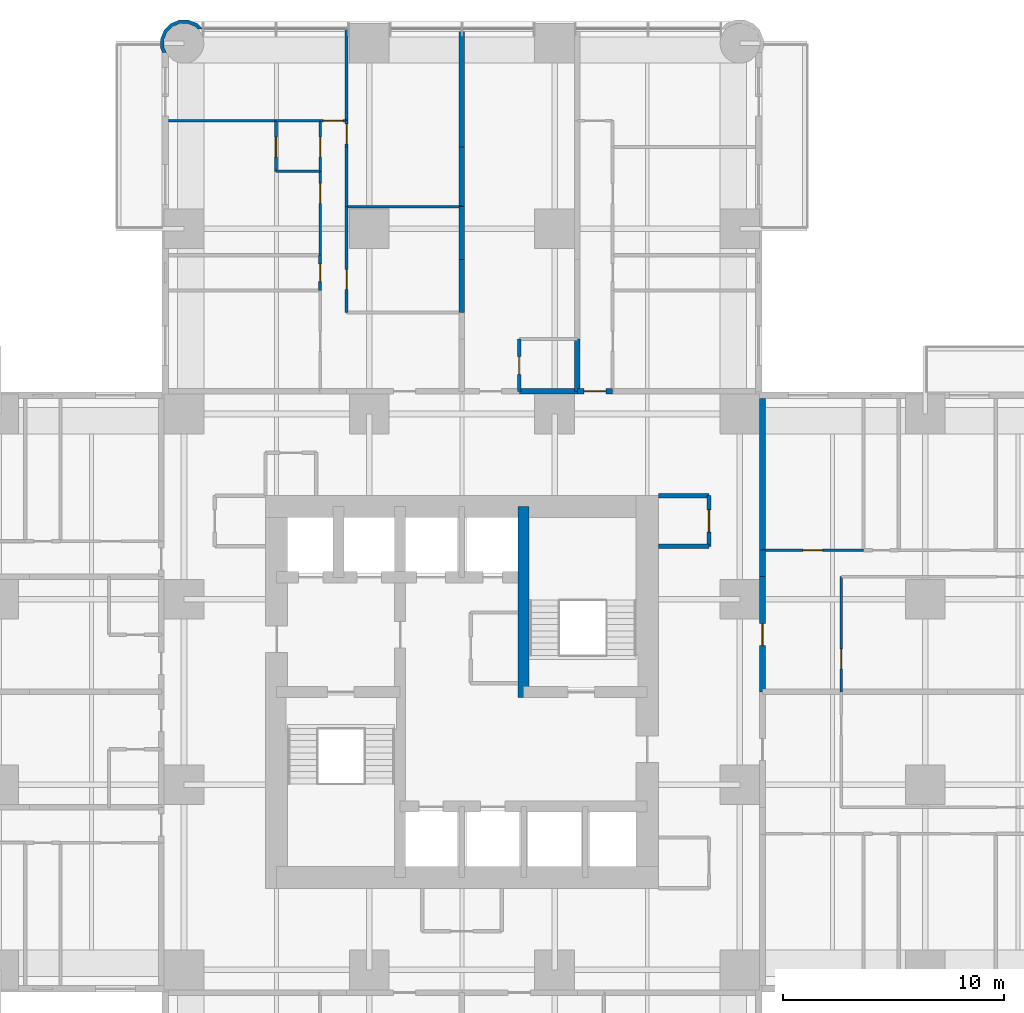
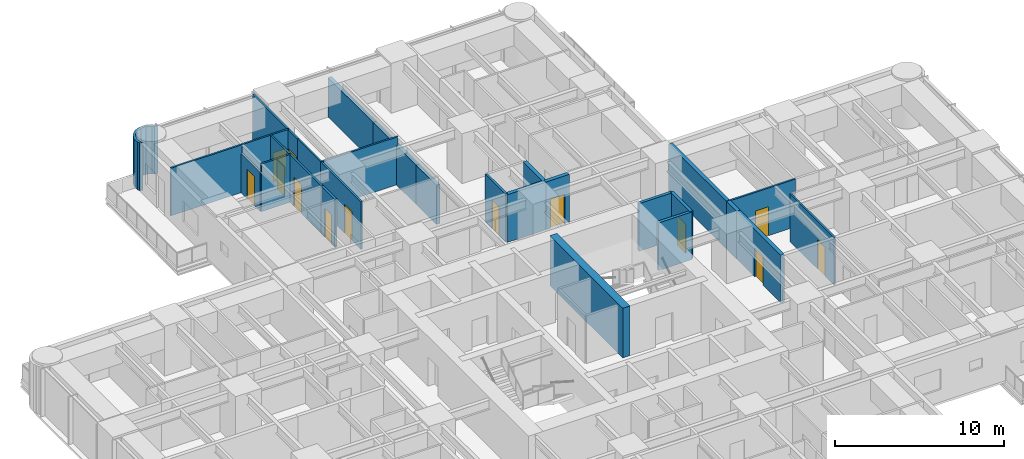
# One storey, part 13 of 17: 31 walls, 13 doors, 13 openings.
"""IFC4 building model written with IfcOpenShell, lengths in metres."""

from ifc_helpers import new_model, si_unit, direction, frame, frame_2d, origin, place, context, subcontext, project, spatial, polyline, rectangle, outline, extrude, material, layer, layer_set, type_object, element, fill, save


model = new_model("IFC4")

# Units and contexts
model_context = context("Model", 3, precision=1e-05, world=origin(), true_north=direction((0.0, 1.0)))
body_context = subcontext(model_context, "Body", "Model", "MODEL_VIEW")
ifc_project = project(units=[si_unit("LENGTHUNIT", "METRE"), si_unit("AREAUNIT", "SQUARE_METRE"), si_unit("VOLUMEUNIT", "CUBIC_METRE"), si_unit("PLANEANGLEUNIT", "RADIAN"), si_unit("MASSUNIT", "GRAM", prefix="KILO")], contexts=[model_context])

# Site, building, storey
site_placement = place(None, origin())
site = spatial("IfcSite", under=ifc_project, at=site_placement, CompositionType="ELEMENT")
building_placement = place(site_placement, origin())
building = spatial("IfcBuilding", under=site, at=building_placement, Name="Torre Alcanfor", CompositionType="ELEMENT")
storey_placement = place(building_placement, frame((0.0, 0.0, 70.5)))
storey = spatial("IfcBuildingStorey", under=building, at=storey_placement, Name="L17", CompositionType="ELEMENT", Elevation=70.5)

# Wall
ifc_material_1 = material(Name="Concrete block masonry, hollow blocks NMX-C-404 9 MPa", Category="masonry")
ifc_layer_1 = layer(ifc_material_1, 0.25)
ifc_layer_set_1 = layer_set([ifc_layer_1], Name="Apartment entrance wall 250 EI 60")
wall_type_1 = type_object("IfcWallType", Name="Apartment entrance wall 250 EI 60", PredefinedType="PARTITIONING", material=ifc_layer_set_1)
wall_1_placement = place(storey_placement, frame((32.0, 43.02490234375, 0.0), z_axis=(0.0, 0.0, 1.0), x_axis=(1.0, 0.0, 0.0)))
element("IfcWall", 1, at=wall_1_placement, inside=storey, type_object=wall_type_1, Name="Partition L17-CORR / L17-N2A-BATH", PredefinedType="PARTITIONING", context=body_context, shape_type="SweptSolid", body=[
    extrude(rectangle(XDim=2.62890625, YDim=0.25, at=frame_2d((1.314453125, 0.0))), origin(), (0.0, 0.0, 1.0), 3.449951171875),
])

# Wall, opening, door
wall_2_placement = place(storey_placement, frame((34.62890625, 43.02490234375, 0.0), z_axis=(0.0, 0.0, 1.0), x_axis=(1.0, 0.0, 0.0)))
wall_2 = element("IfcWall", 2, at=wall_2_placement, inside=storey, type_object=wall_type_1, Name="Partition L17-CORR / L17-N2B-HALL", PredefinedType="PARTITIONING", context=body_context, shape_type="SweptSolid", body=[
    extrude(rectangle(XDim=1.60009765625, YDim=0.25, at=frame_2d((0.800048828125, 0.0))), origin(), (0.0, 0.0, 1.0), 3.449951171875),
])
opening_1_placement = place(wall_2_placement, frame((0.300048828125, 0.0, 0.0)))
opening_1 = element("IfcOpeningElement", 3, at=opening_1_placement, cuts=wall_2, Name="Opening D-A1", PredefinedType="OPENING", context=body_context, shape_type="SweptSolid", body=[
    extrude(rectangle(XDim=1.0, YDim=2.10009765625, at=frame_2d((0.5, 1.050048828125))), frame((0.0, 0.135009765625, 0.0), z_axis=(0.0, -1.0, 0.0), x_axis=(1.0, 0.0, 0.0)), (0.0, 0.0, 1.0), 0.27001953125),
])
ifc_material_2 = material(Name="Galvanised steel sheet ASTM A653", Category="steel")
door_type_1 = type_object("IfcDoorType", Name="Apartment entrance door FD60 1000x2100", OperationType="SINGLE_SWING_LEFT", PredefinedType="DOOR", material=ifc_material_2)
door_1_placement = place(opening_1_placement, origin())
door_1 = element("IfcDoor", 4, at=door_1_placement, inside=storey, type_object=door_type_1, Name="Apartment entrance L17-N2B", OperationType="SINGLE_SWING_LEFT", OverallHeight=2.10009765625, OverallWidth=1.0, PredefinedType="DOOR", context=body_context, shape_type="SweptSolid", body=[
    extrude(rectangle(XDim=1.0, YDim=2.10009765625, at=frame_2d((0.5, 1.050048828125))), frame((0.0, 0.02490234375, 0.0), z_axis=(0.0, -1.0, 0.0), x_axis=(1.0, 0.0, 0.0)), (0.0, 0.0, 1.0), 0.050048828125),
])
fill(opening_1, door_1)

wall_3_placement = place(storey_placement, frame((43.02490234375, 34.62890625, 0.0), z_axis=(0.0, 0.0, 1.0), x_axis=(0.0, -1.0, 0.0)))
wall_3 = element("IfcWall", 5, at=wall_3_placement, inside=storey, type_object=wall_type_1, Name="Partition L17-CORR / L17-E1-ZAG", PredefinedType="PARTITIONING", context=body_context, shape_type="SweptSolid", body=[
    extrude(rectangle(XDim=5.22900390625, YDim=0.25, at=frame_2d((2.614501953125, 0.0))), origin(), (0.0, 0.0, 1.0), 3.449951171875),
])
opening_2_placement = place(wall_3_placement, frame((2.12890625, 0.0, 0.0)))
opening_2 = element("IfcOpeningElement", 6, at=opening_2_placement, cuts=wall_3, Name="Opening D-A1", PredefinedType="OPENING", context=body_context, shape_type="SweptSolid", body=[
    extrude(rectangle(XDim=1.0, YDim=2.10009765625, at=frame_2d((0.5, 1.050048828125))), frame((0.0, 0.135009765625, 0.0), z_axis=(0.0, -1.0, 0.0), x_axis=(1.0, 0.0, 0.0)), (0.0, 0.0, 1.0), 0.27001953125),
])
door_2_placement = place(opening_2_placement, origin())
door_2 = element("IfcDoor", 7, at=door_2_placement, inside=storey, type_object=door_type_1, Name="Apartment entrance L17-E1", OperationType="SINGLE_SWING_RIGHT", OverallHeight=2.10009765625, OverallWidth=1.0, PredefinedType="DOOR", context=body_context, shape_type="SweptSolid", body=[
    extrude(rectangle(XDim=1.0, YDim=2.10009765625, at=frame_2d((0.5, 1.050048828125))), frame((0.0, 0.02490234375, 0.0), z_axis=(0.0, -1.0, 0.0), x_axis=(1.0, 0.0, 0.0)), (0.0, 0.0, 1.0), 0.050048828125),
])
fill(opening_2, door_2)

# Walls
wall_4_placement = place(storey_placement, frame((43.02490234375, 35.8291015625, 0.0), z_axis=(0.0, 0.0, 1.0), x_axis=(0.0, -1.0, 0.0)))
element("IfcWall", 8, at=wall_4_placement, inside=storey, type_object=wall_type_1, Name="Partition L17-CORR / L17-E1-HALL", PredefinedType="PARTITIONING", context=body_context, shape_type="SweptSolid", body=[
    extrude(rectangle(XDim=1.2001953125, YDim=0.25, at=frame_2d((0.60009765625, 0.0))), origin(), (0.0, 0.0, 1.0), 3.449951171875),
])
wall_5_placement = place(storey_placement, frame((43.02490234375, 42.699951171875, 0.0), z_axis=(0.0, 0.0, 1.0), x_axis=(0.0, -1.0, 0.0)))
element("IfcWall", 9, at=wall_5_placement, inside=storey, type_object=wall_type_1, Name="Partition L17-CORR / L17-E1-BED3", PredefinedType="PARTITIONING", context=body_context, shape_type="SweptSolid", body=[
    extrude(rectangle(XDim=6.870849609375, YDim=0.25, at=frame_2d((3.435546875, 0.0))), origin(), (0.0, 0.0, 1.0), 3.449951171875),
])
ifc_material_3 = material(Name="Gypsum board on steel studs", Category="steel")
ifc_layer_2 = layer(ifc_material_3, 0.1201171875)
ifc_layer_set_2 = layer_set([ifc_layer_2], Name="Apartment partition 120")
wall_type_2 = type_object("IfcWallType", Name="Apartment partition 120", PredefinedType="PARTITIONING", material=ifc_layer_set_2)
wall_6_placement = place(storey_placement, frame((29.39990234375, 51.39990234375, 0.0), z_axis=(0.0, 0.0, 1.0), x_axis=(-1.0, 0.0, 0.0)))
element("IfcWall", 10, at=wall_6_placement, inside=storey, type_object=wall_type_2, Name="Partition L17-N1-FAMILY / L17-N1-KITCHEN", PredefinedType="PARTITIONING", context=body_context, shape_type="SweptSolid", body=[
    extrude(rectangle(XDim=5.22900390625, YDim=0.1201171875, at=frame_2d((2.614501953125, 0.0))), origin(), (0.0, 0.0, 1.0), 3.449951171875),
])

# Wall, opening, door
wall_7_placement = place(storey_placement, frame((24.1708984375, 51.39990234375, 0.0), z_axis=(0.0, 0.0, 1.0), x_axis=(0.0, -1.0, 0.0)))
wall_7 = element("IfcWall", 11, at=wall_7_placement, inside=storey, type_object=wall_type_2, Name="Partition L17-N1-FAMILY / L17-N1-HALL", PredefinedType="PARTITIONING", context=body_context, shape_type="SweptSolid", body=[
    extrude(rectangle(XDim=4.7998046875, YDim=0.1201171875, at=frame_2d((2.39990234375, 0.0))), origin(), (0.0, 0.0, 1.0), 3.449951171875),
])
opening_3_placement = place(wall_7_placement, frame((2.85009765625, 0.0, 0.0)))
opening_3 = element("IfcOpeningElement", 12, at=opening_3_placement, cuts=wall_7, Name="Opening D-R1", PredefinedType="OPENING", context=body_context, shape_type="SweptSolid", body=[
    extrude(rectangle(XDim=0.89990234375, YDim=2.10009765625, at=frame_2d((0.449951171875, 1.050048828125))), frame((0.0, 0.070068359375, 0.0), z_axis=(0.0, -1.0, 0.0), x_axis=(1.0, 0.0, 0.0)), (0.0, 0.0, 1.0), 0.14013671875),
])
ifc_material_4 = material(Name="Timber", Category="wood")
door_type_2 = type_object("IfcDoorType", Name="Internal door 900x2100", OperationType="SINGLE_SWING_LEFT", PredefinedType="DOOR", material=ifc_material_4)
door_3_placement = place(opening_3_placement, origin())
door_3 = element("IfcDoor", 13, at=door_3_placement, inside=storey, type_object=door_type_2, Name="Door L17-N1 family", OperationType="SINGLE_SWING_RIGHT", OverallHeight=2.10009765625, OverallWidth=0.89990234375, PredefinedType="DOOR", context=body_context, shape_type="SweptSolid", body=[
    extrude(rectangle(XDim=0.89990234375, YDim=2.10009765625, at=frame_2d((0.449951171875, 1.050048828125))), frame((0.0, 0.02490234375, 0.0), z_axis=(0.0, -1.0, 0.0), x_axis=(1.0, 0.0, 0.0)), (0.0, 0.0, 1.0), 0.050048828125),
])
fill(opening_3, door_3)

# Wall
wall_8_placement = place(storey_placement, frame((24.1708984375, 54.10009765625, 0.0), z_axis=(0.0, 0.0, 1.0), x_axis=(0.0, -1.0, 0.0)))
element("IfcWall", 14, at=wall_8_placement, inside=storey, type_object=wall_type_2, Name="Partition L17-N1-KITCHEN / L17-N1-HALL", PredefinedType="PARTITIONING", context=body_context, shape_type="SweptSolid", body=[
    extrude(rectangle(XDim=2.7001953125, YDim=0.1201171875, at=frame_2d((1.35009765625, 0.0))), origin(), (0.0, 0.0, 1.0), 3.449951171875),
])

# Wall, opening, door
wall_9_placement = place(storey_placement, frame((24.1708984375, 55.300048828125, 0.0), z_axis=(0.0, 0.0, 1.0), x_axis=(0.0, -1.0, 0.0)))
wall_9 = element("IfcWall", 15, at=wall_9_placement, inside=storey, type_object=wall_type_2, Name="Partition L17-N1-LIVING / L17-N1-HALL", PredefinedType="PARTITIONING", context=body_context, shape_type="SweptSolid", body=[
    extrude(rectangle(XDim=1.199951171875, YDim=0.1201171875, at=frame_2d((0.60009765625, 0.0))), origin(), (0.0, 0.0, 1.0), 3.449951171875),
])
opening_4_placement = place(wall_9_placement, frame((0.14990234375, 0.0, 0.0)))
opening_4 = element("IfcOpeningElement", 16, at=opening_4_placement, cuts=wall_9, Name="Opening D-R1", PredefinedType="OPENING", context=body_context, shape_type="SweptSolid", body=[
    extrude(rectangle(XDim=0.89990234375, YDim=2.10009765625, at=frame_2d((0.449951171875, 1.050048828125))), frame((0.0, 0.070068359375, 0.0), z_axis=(0.0, -1.0, 0.0), x_axis=(1.0, 0.0, 0.0)), (0.0, 0.0, 1.0), 0.14013671875),
])
door_4_placement = place(opening_4_placement, origin())
door_4 = element("IfcDoor", 17, at=door_4_placement, inside=storey, type_object=door_type_2, Name="Door L17-N1 living", OperationType="SINGLE_SWING_RIGHT", OverallHeight=2.10009765625, OverallWidth=0.89990234375, PredefinedType="DOOR", context=body_context, shape_type="SweptSolid", body=[
    extrude(rectangle(XDim=0.89990234375, YDim=2.10009765625, at=frame_2d((0.449951171875, 1.050048828125))), frame((0.0, 0.02490234375, 0.0), z_axis=(0.0, -1.0, 0.0), x_axis=(1.0, 0.0, 0.0)), (0.0, 0.0, 1.0), 0.050048828125),
])
fill(opening_4, door_4)

# Wall
wall_10_placement = place(storey_placement, frame((24.1708984375, 59.449951171875, 0.0), z_axis=(0.0, 0.0, 1.0), x_axis=(0.0, -1.0, 0.0)))
element("IfcWall", 18, at=wall_10_placement, inside=storey, type_object=wall_type_2, Name="Partition L17-N1-LIVING / L17-N1-WGARD", PredefinedType="PARTITIONING", context=body_context, shape_type="SweptSolid", body=[
    extrude(rectangle(XDim=4.14990234375, YDim=0.1201171875, at=frame_2d((2.074951171875, 0.0))), origin(), (0.0, 0.0, 1.0), 3.449951171875),
])

# Wall, opening, door
wall_11_placement = place(storey_placement, frame((22.970947265625, 53.0, 0.0), z_axis=(0.0, 0.0, 1.0), x_axis=(0.0, -1.0, 0.0)))
wall_11 = element("IfcWall", 19, at=wall_11_placement, inside=storey, type_object=wall_type_2, Name="Partition L17-N1-HALL / L17-N1-MASTER", PredefinedType="PARTITIONING", context=body_context, shape_type="SweptSolid", body=[
    extrude(rectangle(XDim=3.800048828125, YDim=0.1201171875, at=frame_2d((1.89990234375, 0.0))), origin(), (0.0, 0.0, 1.0), 3.449951171875),
])
opening_5_placement = place(wall_11_placement, frame((0.550048828125, 0.0, 0.0)))
opening_5 = element("IfcOpeningElement", 20, at=opening_5_placement, cuts=wall_11, Name="Opening D-R1", PredefinedType="OPENING", context=body_context, shape_type="SweptSolid", body=[
    extrude(rectangle(XDim=0.89990234375, YDim=2.10009765625, at=frame_2d((0.449951171875, 1.050048828125))), frame((0.0, 0.070068359375, 0.0), z_axis=(0.0, -1.0, 0.0), x_axis=(1.0, 0.0, 0.0)), (0.0, 0.0, 1.0), 0.14013671875),
])
door_5_placement = place(opening_5_placement, frame((0.89990234375, 0.0, 0.0), z_axis=(0.0, 0.0, 1.0), x_axis=(-1.0, 0.0, 0.0)))
door_5 = element("IfcDoor", 21, at=door_5_placement, inside=storey, type_object=door_type_2, Name="Door L17-N1 master", OperationType="SINGLE_SWING_RIGHT", OverallHeight=2.10009765625, OverallWidth=0.89990234375, PredefinedType="DOOR", context=body_context, shape_type="SweptSolid", body=[
    extrude(rectangle(XDim=0.89990234375, YDim=2.10009765625, at=frame_2d((0.449951171875, 1.050048828125))), frame((0.0, 0.025146484375, 0.0), z_axis=(0.0, -1.0, 0.0), x_axis=(1.0, 0.0, 0.0)), (0.0, 0.0, 1.0), 0.050048828125),
])
fill(opening_5, door_5)

wall_12_placement = place(storey_placement, frame((22.970947265625, 55.300048828125, 0.0), z_axis=(0.0, 0.0, 1.0), x_axis=(0.0, -1.0, 0.0)))
wall_12 = element("IfcWall", 22, at=wall_12_placement, inside=storey, type_object=wall_type_2, Name="Partition L17-N1-HALL / L17-N1-VEST", PredefinedType="PARTITIONING", context=body_context, shape_type="SweptSolid", body=[
    extrude(rectangle(XDim=2.300048828125, YDim=0.1201171875, at=frame_2d((1.14990234375, 0.0))), origin(), (0.0, 0.0, 1.0), 3.449951171875),
])
opening_6_placement = place(wall_12_placement, frame((0.75, 0.0, 0.0)))
opening_6 = element("IfcOpeningElement", 23, at=opening_6_placement, cuts=wall_12, Name="Opening D-R1", PredefinedType="OPENING", context=body_context, shape_type="SweptSolid", body=[
    extrude(rectangle(XDim=0.89990234375, YDim=2.10009765625, at=frame_2d((0.449951171875, 1.050048828125))), frame((0.0, 0.070068359375, 0.0), z_axis=(0.0, -1.0, 0.0), x_axis=(1.0, 0.0, 0.0)), (0.0, 0.0, 1.0), 0.14013671875),
])
door_6_placement = place(opening_6_placement, frame((0.89990234375, 0.0, 0.0), z_axis=(0.0, 0.0, 1.0), x_axis=(-1.0, 0.0, 0.0)))
door_6 = element("IfcDoor", 24, at=door_6_placement, inside=storey, type_object=door_type_2, Name="Door L17-N1 vest", OperationType="SINGLE_SWING_LEFT", OverallHeight=2.10009765625, OverallWidth=0.89990234375, PredefinedType="DOOR", context=body_context, shape_type="SweptSolid", body=[
    extrude(rectangle(XDim=0.89990234375, YDim=2.10009765625, at=frame_2d((0.449951171875, 1.050048828125))), frame((0.0, 0.025146484375, 0.0), z_axis=(0.0, -1.0, 0.0), x_axis=(1.0, 0.0, 0.0)), (0.0, 0.0, 1.0), 0.050048828125),
])
fill(opening_6, door_6)

wall_13_placement = place(storey_placement, frame((24.1708984375, 55.300048828125, 0.0), z_axis=(0.0, 0.0, 1.0), x_axis=(-1.0, 0.0, 0.0)))
wall_13 = element("IfcWall", 25, at=wall_13_placement, inside=storey, type_object=wall_type_2, Name="Partition L17-N1-HALL / L17-N1-WGARD", PredefinedType="PARTITIONING", context=body_context, shape_type="SweptSolid", body=[
    extrude(rectangle(XDim=1.199951171875, YDim=0.1201171875, at=frame_2d((0.60009765625, 0.0))), origin(), (0.0, 0.0, 1.0), 3.449951171875),
])
opening_7_placement = place(wall_13_placement, frame((0.15087890625, 0.0, 0.0)))
opening_7 = element("IfcOpeningElement", 26, at=opening_7_placement, cuts=wall_13, Name="Opening D-R1", PredefinedType="OPENING", context=body_context, shape_type="SweptSolid", body=[
    extrude(rectangle(XDim=0.89990234375, YDim=2.10009765625, at=frame_2d((0.449951171875, 1.050048828125))), frame((0.0, 0.070068359375, 0.0), z_axis=(0.0, -1.0, 0.0), x_axis=(1.0, 0.0, 0.0)), (0.0, 0.0, 1.0), 0.14013671875),
])
door_7_placement = place(opening_7_placement, frame((0.89990234375, 0.0, 0.0), z_axis=(0.0, 0.0, 1.0), x_axis=(-1.0, 0.0, 0.0)))
door_7 = element("IfcDoor", 27, at=door_7_placement, inside=storey, type_object=door_type_2, Name="Door L17-N1 wgard", OperationType="SINGLE_SWING_RIGHT", OverallHeight=2.10009765625, OverallWidth=0.89990234375, PredefinedType="DOOR", context=body_context, shape_type="SweptSolid", body=[
    extrude(rectangle(XDim=0.89990234375, YDim=2.10009765625, at=frame_2d((0.449951171875, 1.050048828125))), frame((0.0, 0.025146484375, 0.0), z_axis=(0.0, -1.0, 0.0), x_axis=(1.0, 0.0, 0.0)), (0.0, 0.0, 1.0), 0.050048828125),
])
fill(opening_7, door_7)

wall_14_placement = place(storey_placement, frame((20.970947265625, 55.300048828125, 0.0), z_axis=(0.0, 0.0, 1.0), x_axis=(0.0, -1.0, 0.0)))
wall_14 = element("IfcWall", 28, at=wall_14_placement, inside=storey, type_object=wall_type_2, Name="Partition L17-N1-MASTER / L17-N1-VEST", PredefinedType="PARTITIONING", context=body_context, shape_type="SweptSolid", body=[
    extrude(rectangle(XDim=2.300048828125, YDim=0.1201171875, at=frame_2d((1.14990234375, 0.0))), origin(), (0.0, 0.0, 1.0), 2.847900390625),
])
opening_8_placement = place(wall_14_placement, frame((0.75, 0.0, 0.0)))
opening_8 = element("IfcOpeningElement", 29, at=opening_8_placement, cuts=wall_14, Name="Opening D-R1", PredefinedType="OPENING", context=body_context, shape_type="SweptSolid", body=[
    extrude(rectangle(XDim=0.89990234375, YDim=2.10009765625, at=frame_2d((0.449951171875, 1.050048828125))), frame((0.0, 0.070068359375, 0.0), z_axis=(0.0, -1.0, 0.0), x_axis=(1.0, 0.0, 0.0)), (0.0, 0.0, 1.0), 0.14013671875),
])
door_8_placement = place(opening_8_placement, origin())
door_8 = element("IfcDoor", 30, at=door_8_placement, inside=storey, type_object=door_type_2, Name="Door L17-N1 master", OperationType="SINGLE_SWING_RIGHT", OverallHeight=2.10009765625, OverallWidth=0.89990234375, PredefinedType="DOOR", context=body_context, shape_type="SweptSolid", body=[
    extrude(rectangle(XDim=0.89990234375, YDim=2.10009765625, at=frame_2d((0.449951171875, 1.050048828125))), frame((0.0, 0.02490234375, 0.0), z_axis=(0.0, -1.0, 0.0), x_axis=(1.0, 0.0, 0.0)), (0.0, 0.0, 1.0), 0.050048828125),
])
fill(opening_8, door_8)

# Walls
wall_15_placement = place(storey_placement, frame((20.970947265625, 53.0, 0.0), z_axis=(0.0, 0.0, 1.0), x_axis=(1.0, 0.0, 0.0)))
element("IfcWall", 31, at=wall_15_placement, inside=storey, type_object=wall_type_2, Name="Partition L17-N1-MASTER / L17-N1-VEST", PredefinedType="PARTITIONING", context=body_context, shape_type="SweptSolid", body=[
    extrude(rectangle(XDim=2.0, YDim=0.1201171875, at=frame_2d((1.0, 0.0))), origin(), (0.0, 0.0, 1.0), 3.449951171875),
])
wall_16_placement = place(storey_placement, frame((16.10009765625, 55.300048828125, 0.0), z_axis=(0.0, 0.0, 1.0), x_axis=(1.0, 0.0, 0.0)))
element("IfcWall", 32, at=wall_16_placement, inside=storey, type_object=wall_type_2, Name="Partition L17-N1-MASTER / L17-N1-WGARD", PredefinedType="PARTITIONING", context=body_context, shape_type="SweptSolid", body=[
    extrude(rectangle(XDim=4.870849609375, YDim=0.1201171875, at=frame_2d((2.435546875, 0.0))), origin(), (0.0, 0.0, 1.0), 3.449951171875),
])
wall_17_placement = place(storey_placement, frame((22.970947265625, 55.300048828125, 0.0), z_axis=(0.0, 0.0, 1.0), x_axis=(-1.0, 0.0, 0.0)))
element("IfcWall", 33, at=wall_17_placement, inside=storey, type_object=wall_type_2, Name="Partition L17-N1-VEST / L17-N1-WGARD", PredefinedType="PARTITIONING", context=body_context, shape_type="SweptSolid", body=[
    extrude(rectangle(XDim=2.0, YDim=0.1201171875, at=frame_2d((1.0, 0.0))), origin(), (0.0, 0.0, 1.0), 3.449951171875),
])

# Wall, opening, door
wall_18_placement = place(storey_placement, frame((46.60009765625, 29.39990234375, 0.0), z_axis=(0.0, 0.0, 1.0), x_axis=(0.0, 1.0, 0.0)))
wall_18 = element("IfcWall", 34, at=wall_18_placement, inside=storey, type_object=wall_type_2, Name="Partition L17-E1-ZAG / L17-E1-KITCHEN", PredefinedType="PARTITIONING", context=body_context, shape_type="SweptSolid", body=[
    extrude(rectangle(XDim=5.22900390625, YDim=0.1201171875, at=frame_2d((2.614501953125, 0.0))), origin(), (0.0, 0.0, 1.0), 3.449951171875),
])
opening_9_placement = place(wall_18_placement, frame((1.050048828125, 0.0, 0.0)))
opening_9 = element("IfcOpeningElement", 35, at=opening_9_placement, cuts=wall_18, Name="Opening D-R1", PredefinedType="OPENING", context=body_context, shape_type="SweptSolid", body=[
    extrude(rectangle(XDim=0.89990234375, YDim=2.10009765625, at=frame_2d((0.449951171875, 1.050048828125))), frame((0.0, 0.070068359375, 0.0), z_axis=(0.0, -1.0, 0.0), x_axis=(1.0, 0.0, 0.0)), (0.0, 0.0, 1.0), 0.14013671875),
])
door_9_placement = place(opening_9_placement, frame((0.89990234375, 0.0, 0.0), z_axis=(0.0, 0.0, 1.0), x_axis=(-1.0, 0.0, 0.0)))
door_9 = element("IfcDoor", 36, at=door_9_placement, inside=storey, type_object=door_type_2, Name="Door L17-E1 kitchen", OperationType="SINGLE_SWING_RIGHT", OverallHeight=2.10009765625, OverallWidth=0.89990234375, PredefinedType="DOOR", context=body_context, shape_type="SweptSolid", body=[
    extrude(rectangle(XDim=0.89990234375, YDim=2.10009765625, at=frame_2d((0.449951171875, 1.050048828125))), frame((0.0, 0.025146484375, 0.0), z_axis=(0.0, -1.0, 0.0), x_axis=(1.0, 0.0, 0.0)), (0.0, 0.0, 1.0), 0.050048828125),
])
fill(opening_9, door_9)

wall_19_placement = place(storey_placement, frame((47.60009765625, 35.8291015625, 0.0), z_axis=(0.0, 0.0, 1.0), x_axis=(-1.0, 0.0, 0.0)))
wall_19 = element("IfcWall", 37, at=wall_19_placement, inside=storey, type_object=wall_type_2, Name="Partition L17-E1-HALL / L17-E1-BED3", PredefinedType="PARTITIONING", context=body_context, shape_type="SweptSolid", body=[
    extrude(rectangle(XDim=4.5751953125, YDim=0.1201171875, at=frame_2d((2.28759765625, 0.0))), origin(), (0.0, 0.0, 1.0), 3.449951171875),
])
opening_10_placement = place(wall_19_placement, frame((1.85009765625, 0.0, 0.0)))
opening_10 = element("IfcOpeningElement", 38, at=opening_10_placement, cuts=wall_19, Name="Opening D-R1", PredefinedType="OPENING", context=body_context, shape_type="SweptSolid", body=[
    extrude(rectangle(XDim=0.89990234375, YDim=2.10009765625, at=frame_2d((0.449951171875, 1.050048828125))), frame((0.0, 0.070068359375, 0.0), z_axis=(0.0, -1.0, 0.0), x_axis=(1.0, 0.0, 0.0)), (0.0, 0.0, 1.0), 0.14013671875),
])
door_10_placement = place(opening_10_placement, frame((0.89990234375, 0.0, 0.0), z_axis=(0.0, 0.0, 1.0), x_axis=(-1.0, 0.0, 0.0)))
door_10 = element("IfcDoor", 39, at=door_10_placement, inside=storey, type_object=door_type_2, Name="Door L17-E1 bed3", OperationType="SINGLE_SWING_LEFT", OverallHeight=2.10009765625, OverallWidth=0.89990234375, PredefinedType="DOOR", context=body_context, shape_type="SweptSolid", body=[
    extrude(rectangle(XDim=0.89990234375, YDim=2.10009765625, at=frame_2d((0.449951171875, 1.050048828125))), frame((0.0, 0.025146484375, 0.0), z_axis=(0.0, -1.0, 0.0), x_axis=(1.0, 0.0, 0.0)), (0.0, 0.0, 1.0), 0.050048828125),
])
fill(opening_10, door_10)

# Walls
ifc_material_5 = material(Name="Concrete f'c 70 MPa", Category="concrete")
ifc_layer_3 = layer(ifc_material_5, 0.5)
ifc_layer_set_3 = layer_set([ifc_layer_3], Name="Core inner wall 500 f'c70")
wall_type_3 = type_object("IfcWallType", Name="Core inner wall 500 f'c70", PredefinedType="SHEAR", material=ifc_layer_set_3)
wall_20_placement = place(storey_placement, frame((32.199951171875, 29.14990234375, 0.0), z_axis=(0.0, 0.0, 1.0), x_axis=(0.0, 1.0, 0.0)))
element("IfcWall", 40, at=wall_20_placement, inside=storey, type_object=wall_type_3, Name="Core wall X322N L17", PredefinedType="SHEAR", context=body_context, shape_type="SweptSolid", body=[
    extrude(rectangle(XDim=8.650146484375, YDim=0.5, at=frame_2d((4.3251953125, 0.0))), origin(), (0.0, 0.0, 1.0), 3.60009765625),
])
ifc_material_6 = material(Name="Concrete block masonry, hollow blocks NMX-C-404 9 MPa", Category="masonry")
ifc_layer_4 = layer(ifc_material_6, 0.25)
ifc_layer_set_4 = layer_set([ifc_layer_4], Name="Party wall 250 EI 60")
wall_type_4 = type_object("IfcWallType", Name="Party wall 250 EI 60", PredefinedType="PARTITIONING", material=ifc_layer_set_4)
for number, where, z_axis, x_axis, name in (
    (41, (29.39990234375, 46.60009765625, 0.0), (0.0, 0.0, 1.0), (0.0, 1.0, 0.0), "Partition L17-N1-FAMILY / L17-N2A-KITCHEN"),
    (42, (29.39990234375, 49.0, 0.0), (0.0, 0.0, 1.0), (0.0, 1.0, 0.0), "Partition L17-N1-FAMILY / L17-N2A-STUDIO"),
):
    element("IfcWall", number, at=place(storey_placement, frame(where, z_axis=z_axis, x_axis=x_axis)), inside=storey, type_object=wall_type_4, Name=name, PredefinedType="PARTITIONING", context=body_context, shape_type="SweptSolid", body=[
        extrude(rectangle(XDim=2.39990234375, YDim=0.25, at=frame_2d((1.199951171875, 0.0))), origin(), (0.0, 0.0, 1.0), 2.847900390625),
    ])
wall_21_placement = place(storey_placement, frame((29.39990234375, 51.39990234375, 0.0), z_axis=(0.0, 0.0, 1.0), x_axis=(0.0, 1.0, 0.0)))
element("IfcWall", 43, at=wall_21_placement, inside=storey, type_object=wall_type_4, Name="Partition L17-N1-KITCHEN / L17-N2A-STUDIO", PredefinedType="PARTITIONING", context=body_context, shape_type="SweptSolid", body=[
    extrude(rectangle(XDim=2.7001953125, YDim=0.25, at=frame_2d((1.35009765625, 0.0))), origin(), (0.0, 0.0, 1.0), 2.847900390625),
])
wall_22_placement = place(storey_placement, frame((29.39990234375, 54.10009765625, 0.0), z_axis=(0.0, 0.0, 1.0), x_axis=(0.0, 1.0, 0.0)))
element("IfcWall", 44, at=wall_22_placement, inside=storey, type_object=wall_type_4, Name="Partition L17-N1-LIVING / L17-N2A-STUDIO", PredefinedType="PARTITIONING", context=body_context, shape_type="SweptSolid", body=[
    extrude(rectangle(XDim=5.349853515625, YDim=0.25, at=frame_2d((2.6748046875, 0.0))), origin(), (0.0, 0.0, 1.0), 2.847900390625),
])
wall_23_placement = place(storey_placement, frame((34.62890625, 45.39990234375, 0.0), z_axis=(0.0, 0.0, 1.0), x_axis=(0.0, -1.0, 0.0)))
element("IfcWall", 45, at=wall_23_placement, inside=storey, type_object=wall_type_4, Name="Partition L17-N2A-BATH / L17-N2B-HALL", PredefinedType="PARTITIONING", context=body_context, shape_type="SweptSolid", body=[
    extrude(rectangle(XDim=2.375, YDim=0.25, at=frame_2d((1.1875, 0.0))), origin(), (0.0, 0.0, 1.0), 3.449951171875),
])
ifc_material_7 = material(Name="Concrete block masonry, hollow blocks NMX-C-404 9 MPa", Category="masonry")
ifc_layer_5 = layer(ifc_material_7, 0.199951171875)
ifc_layer_set_5 = layer_set([ifc_layer_5], Name="Plant room wall 200 EI 60")
wall_type_5 = type_object("IfcWallType", Name="Plant room wall 200 EI 60", PredefinedType="PARTITIONING", material=ifc_layer_set_5)
wall_24_placement = place(storey_placement, frame((38.300048828125, 36.0, 0.0), z_axis=(0.0, 0.0, 1.0), x_axis=(1.0, 0.0, 0.0)))
element("IfcWall", 46, at=wall_24_placement, inside=storey, type_object=wall_type_5, Name="Partition L17-CORR / L17-G03", PredefinedType="PARTITIONING", context=body_context, shape_type="SweptSolid", body=[
    extrude(rectangle(XDim=2.300048828125, YDim=0.199951171875, at=frame_2d((1.14990234375, 0.0))), origin(), (0.0, 0.0, 1.0), 3.449951171875),
])

# Wall, opening, door
wall_25_placement = place(storey_placement, frame((40.60009765625, 36.0, 0.0), z_axis=(0.0, 0.0, 1.0), x_axis=(0.0, 1.0, 0.0)))
wall_25 = element("IfcWall", 47, at=wall_25_placement, inside=storey, type_object=wall_type_5, Name="Partition L17-CORR / L17-G03", PredefinedType="PARTITIONING", context=body_context, shape_type="SweptSolid", body=[
    extrude(rectangle(XDim=2.300048828125, YDim=0.199951171875, at=frame_2d((1.14990234375, 0.0))), origin(), (0.0, 0.0, 1.0), 3.449951171875),
])
opening_11_placement = place(wall_25_placement, frame((0.64990234375, 0.0, 0.0)))
opening_11 = element("IfcOpeningElement", 48, at=opening_11_placement, cuts=wall_25, Name="Opening D-K1", PredefinedType="OPENING", context=body_context, shape_type="SweptSolid", body=[
    extrude(rectangle(XDim=1.0, YDim=2.10009765625, at=frame_2d((0.5, 1.050048828125))), frame((0.0, 0.10986328125, 0.0), z_axis=(0.0, -1.0, 0.0), x_axis=(1.0, 0.0, 0.0)), (0.0, 0.0, 1.0), 0.219970703125),
])
ifc_material_8 = material(Name="Galvanised steel sheet ASTM A653", Category="steel")
door_type_3 = type_object("IfcDoorType", Name="Core room door FD60 1000x2100", OperationType="SINGLE_SWING_LEFT", PredefinedType="DOOR", material=ifc_material_8)
door_11_placement = place(opening_11_placement, origin())
door_11 = element("IfcDoor", 49, at=door_11_placement, inside=storey, type_object=door_type_3, Name="Door L17-G03 refuse and recycling store", OperationType="SINGLE_SWING_LEFT", OverallHeight=2.10009765625, OverallWidth=1.0, PredefinedType="DOOR", context=body_context, shape_type="SweptSolid", body=[
    extrude(rectangle(XDim=1.0, YDim=2.10009765625, at=frame_2d((0.5, 1.050048828125))), frame((0.0, 0.02490234375, 0.0), z_axis=(0.0, -1.0, 0.0), x_axis=(1.0, 0.0, 0.0)), (0.0, 0.0, 1.0), 0.050048828125),
])
fill(opening_11, door_11)

# Walls
wall_26_placement = place(storey_placement, frame((40.60009765625, 38.300048828125, 0.0), z_axis=(0.0, 0.0, 1.0), x_axis=(-1.0, 0.0, 0.0)))
element("IfcWall", 50, at=wall_26_placement, inside=storey, type_object=wall_type_5, Name="Partition L17-CORR / L17-G03", PredefinedType="PARTITIONING", context=body_context, shape_type="SweptSolid", body=[
    extrude(rectangle(XDim=2.300048828125, YDim=0.199951171875, at=frame_2d((1.14990234375, 0.0))), origin(), (0.0, 0.0, 1.0), 3.449951171875),
])
ifc_material_9 = material(Name="Limestone cladding", Category="masonry")
ifc_layer_6 = layer(ifc_material_9, 0.0400390625, Name="Facing")
ifc_material_10 = material(Name="Ventilated air cavity")
ifc_layer_7 = layer(ifc_material_10, 0.02001953125, ventilated=True, Name="Ventilated joint")
ifc_material_11 = material(Name="Mineral wool insulation", Category="insulation")
ifc_layer_8 = layer(ifc_material_11, 0.10009765625, Name="Insulation")
ifc_material_12 = material(Name="Concrete f'c 35 MPa", Category="concrete")
ifc_layer_9 = layer(ifc_material_12, 0.139892578125, Name="Backing")
ifc_layer_set_6 = layer_set([ifc_layer_6, ifc_layer_7, ifc_layer_8, ifc_layer_9], Name="Rounded corner pier stone-clad 300")
wall_type_6 = type_object("IfcWallType", Name="Rounded corner pier stone-clad 300", PredefinedType="SOLIDWALL", material=ifc_layer_set_6)
wall_27_placement = place(storey_placement, frame((17.56659392, 59.410519256, 0.0), z_axis=(0.0, 0.0, 1.0), x_axis=(-0.377204953059, 0.926129809145, 0.0)))
element("IfcWall", 51, at=wall_27_placement, inside=storey, type_object=wall_type_6, Name="Corner pier L17 20", PredefinedType="SOLIDWALL", context=body_context, shape_type="SweptSolid", body=[
    extrude(outline(polyline([(-0.2696128896034876, 2.017259773730947), (-0.3700074466497617, 1.8406682313445892), (-0.10228391712117135, 1.84234447704578), (0.22963955939869596, 1.7071548112521016), (0.48448400216769655, 1.4552078217286728), (0.623591424193435, 1.1249193736895309), (0.6256953869469392, 0.7663384814459974), (0.4905057211532608, 0.43441500492612994), (0.23855873162983204, 0.17957056215712927), (0.0901868556189969, 0.11689353267829827), (0.010896458992050665, -0.07778365620699182), (0.024462813618203284, -0.08330911938656994), (0.3293875956360306, 0.04530321995417183), (0.4799529344667901, 0.19750641360159463), (0.4990544088845829, 0.19262629437695172), (0.507600976756774, 0.22526044306054033), (0.6260470289213595, 0.34520397592848606), (0.7850882774402169, 0.7356888832512456), (0.7822913942554518, 1.1572920874778148), (0.618751344370654, 1.5460366857348715), (0.3187584973433468, 1.8424700131097647), (-0.07172640997941271, 2.0015112616286217), (-0.24006791291721008, 2.0004813020300714), (-0.2696128896034876, 2.017259773730947)])), origin(), (0.0, 0.0, 1.0), 3.449951171875),
])

# Wall, opening, door
ifc_material_13 = material(Name="Cement board on steel studs", Category="steel")
ifc_layer_10 = layer(ifc_material_13, 0.14990234375)
ifc_layer_set_7 = layer_set([ifc_layer_10], Name="Wet area partition 150")
wall_type_7 = type_object("IfcWallType", Name="Wet area partition 150", PredefinedType="PARTITIONING", material=ifc_layer_set_7)
wall_28_placement = place(storey_placement, frame((22.970947265625, 49.199951171875, 0.0), z_axis=(0.0, 0.0, 1.0), x_axis=(0.0, -1.0, 0.0)))
wall_28 = element("IfcWall", 52, at=wall_28_placement, inside=storey, type_object=wall_type_7, Name="Partition L17-N1-HALL / L17-N1-BATH1", PredefinedType="PARTITIONING", context=body_context, shape_type="SweptSolid", body=[
    extrude(rectangle(XDim=1.599853515625, YDim=0.14990234375, at=frame_2d((0.7998046875, 0.0))), origin(), (0.0, 0.0, 1.0), 3.449951171875),
])
opening_12_placement = place(wall_28_placement, frame((0.39990234375, 0.0, 0.0)))
opening_12 = element("IfcOpeningElement", 53, at=opening_12_placement, cuts=wall_28, Name="Opening D-R2", PredefinedType="OPENING", context=body_context, shape_type="SweptSolid", body=[
    extrude(rectangle(XDim=0.800048828125, YDim=2.10009765625, at=frame_2d((0.39990234375, 1.050048828125))), frame((0.0, 0.0849609375, 0.0), z_axis=(0.0, -1.0, 0.0), x_axis=(1.0, 0.0, 0.0)), (0.0, 0.0, 1.0), 0.169921875),
])
ifc_material_14 = material(Name="Timber", Category="wood")
door_type_4 = type_object("IfcDoorType", Name="Bathroom door 800x2100", OperationType="SINGLE_SWING_LEFT", PredefinedType="DOOR", material=ifc_material_14)
door_12_placement = place(opening_12_placement, frame((0.800048828125, 0.0, 0.0), z_axis=(0.0, 0.0, 1.0), x_axis=(-1.0, 0.0, 0.0)))
door_12 = element("IfcDoor", 54, at=door_12_placement, inside=storey, type_object=door_type_4, Name="Door L17-N1 bath1", OperationType="SINGLE_SWING_RIGHT", OverallHeight=2.10009765625, OverallWidth=0.800048828125, PredefinedType="DOOR", context=body_context, shape_type="SweptSolid", body=[
    extrude(rectangle(XDim=0.800048828125, YDim=2.10009765625, at=frame_2d((0.400146484375, 1.050048828125))), frame((0.0, 0.025146484375, 0.0), z_axis=(0.0, -1.0, 0.0), x_axis=(1.0, 0.0, 0.0)), (0.0, 0.0, 1.0), 0.050048828125),
])
fill(opening_12, door_12)

wall_29_placement = place(storey_placement, frame((32.0, 45.39990234375, 0.0), z_axis=(0.0, 0.0, 1.0), x_axis=(0.0, -1.0, 0.0)))
wall_29 = element("IfcWall", 55, at=wall_29_placement, inside=storey, type_object=wall_type_7, Name="Partition L17-N2A-FOYER / L17-N2A-BATH", PredefinedType="PARTITIONING", context=body_context, shape_type="SweptSolid", body=[
    extrude(rectangle(XDim=2.375, YDim=0.14990234375, at=frame_2d((1.1875, 0.0))), origin(), (0.0, 0.0, 1.0), 3.449951171875),
])
opening_13_placement = place(wall_29_placement, frame((0.800048828125, 0.0, 0.0)))
opening_13 = element("IfcOpeningElement", 56, at=opening_13_placement, cuts=wall_29, Name="Opening D-R2", PredefinedType="OPENING", context=body_context, shape_type="SweptSolid", body=[
    extrude(rectangle(XDim=0.800048828125, YDim=2.10009765625, at=frame_2d((0.39990234375, 1.050048828125))), frame((0.0, 0.0849609375, 0.0), z_axis=(0.0, -1.0, 0.0), x_axis=(1.0, 0.0, 0.0)), (0.0, 0.0, 1.0), 0.169921875),
])
door_13_placement = place(opening_13_placement, origin())
door_13 = element("IfcDoor", 57, at=door_13_placement, inside=storey, type_object=door_type_4, Name="Door L17-N2A bath", OperationType="SINGLE_SWING_RIGHT", OverallHeight=2.10009765625, OverallWidth=0.800048828125, PredefinedType="DOOR", context=body_context, shape_type="SweptSolid", body=[
    extrude(rectangle(XDim=0.800048828125, YDim=2.10009765625, at=frame_2d((0.39990234375, 1.050048828125))), frame((0.0, 0.02490234375, 0.0), z_axis=(0.0, -1.0, 0.0), x_axis=(1.0, 0.0, 0.0)), (0.0, 0.0, 1.0), 0.050048828125),
])
fill(opening_13, door_13)

save(model, "model.ifc")
